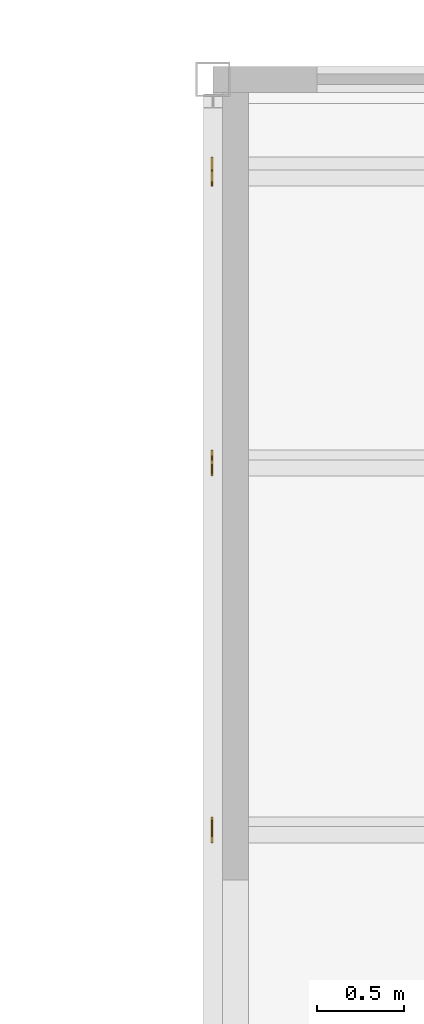
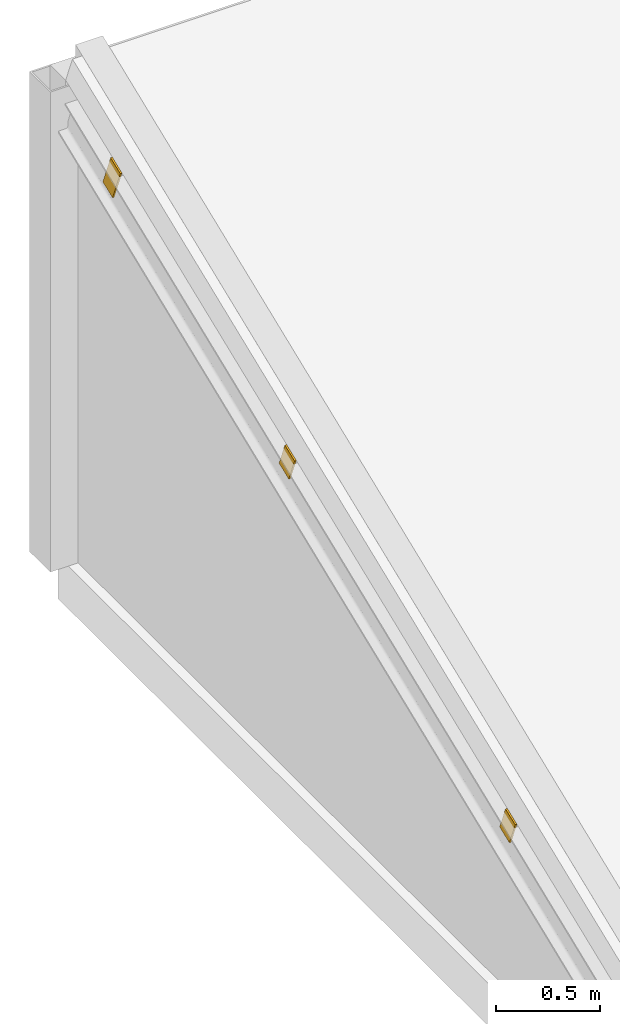
# One storey, part 107 of 109: 3 coverings.
"""IFC4 building model written with IfcOpenShell, lengths in metres."""

import ifcopenshell
import ifcopenshell.guid

model = None  # the IFC model being written
_history = None  # IfcOwnerHistory: only IFC2X3 demands one
_inside = {}  # id of a spatial element -> (the spatial element, [elements in it])
_under = {}  # id of a project, library or spatial element -> (it, [spatial elements below it])
_declared = {}  # id of a project -> (the project, [libraries it declares])
_typed = {}  # id of a type object -> (the type object, [elements of that type])
_made_of = {}  # id of a material, layer set ... -> (it, [elements and type objects made of it])


def new_model(schema):
    """Start an empty IFC model of exactly this schema.

    Asked for "IFC4X3", IfcOpenShell would pick the latest addendum, in which some entities
    have other attributes; the version numbers below select the first issue.
    IFC2X3 requires an IfcOwnerHistory on every rooted entity: one is made here for all.
    """
    global model, _history
    if schema == "IFC4X3":
        model = ifcopenshell.file(schema_version=(4, 3, 0, 0))
    else:
        model = ifcopenshell.file(schema=schema)
    _inside.clear()
    _under.clear()
    _declared.clear()
    _typed.clear()
    _made_of.clear()
    _history = None
    if model.schema == "IFC2X3":
        org = make("IfcOrganization", Name="unknown")
        user = make(
            "IfcPersonAndOrganization",
            ThePerson=make("IfcPerson", FamilyName="unknown"),
            TheOrganization=org,
        )
        app = make(
            "IfcApplication",
            ApplicationDeveloper=org,
            Version="unknown",
            ApplicationFullName="unknown",
            ApplicationIdentifier="unknown",
        )
        _history = make(
            "IfcOwnerHistory",
            OwningUser=user,
            OwningApplication=app,
            ChangeAction="ADDED",
            CreationDate=0,
        )
    return model


def make(cls, **values):
    """One entity of the class cls with the attributes given. An attribute that is None is left unset."""
    return model.create_entity(
        cls, **{name: value for name, value in values.items() if value is not None}
    )


def rooted(cls, **values):
    """An entity with a GlobalId (a new one), such as an element, a storey or a relation."""
    return make(cls, GlobalId=ifcopenshell.guid.new(), OwnerHistory=_history, **values)


def si_unit(unit_type, name, prefix=None):
    """IfcSIUnit, for example si_unit("LENGTHUNIT", "METRE", prefix="MILLI")."""
    return make("IfcSIUnit", UnitType=unit_type, Prefix=prefix, Name=name)


def assignment(units):
    """IfcUnitAssignment: the units of a project."""
    return None if units is None else make("IfcUnitAssignment", Units=units)


def point(xyz):
    """IfcCartesianPoint."""
    return None if xyz is None else make("IfcCartesianPoint", Coordinates=xyz)


def direction(xyz):
    """IfcDirection."""
    return None if xyz is None else make("IfcDirection", DirectionRatios=xyz)


def frame(location, z_axis=None, x_axis=None):
    """IfcAxis2Placement3D, a coordinate frame: its origin and axes. An axis left out is left unset."""
    return make(
        "IfcAxis2Placement3D",
        Location=point(location),
        Axis=direction(z_axis),
        RefDirection=direction(x_axis),
    )


def origin():
    """The frame at (0, 0, 0) with its axes left unset."""
    return frame((0.0, 0.0, 0.0))


def place(relative_to, where):
    """IfcLocalPlacement: puts the frame where relative to a parent placement (None: the world)."""
    return make(
        "IfcLocalPlacement", PlacementRelTo=relative_to, RelativePlacement=where
    )


def context(
    kind, dimensions, precision=None, world=None, true_north=None, identifier=None
):
    """IfcGeometricRepresentationContext, for example the 3D "Model" context."""
    return make(
        "IfcGeometricRepresentationContext",
        ContextIdentifier=identifier,
        ContextType=kind,
        CoordinateSpaceDimension=dimensions,
        Precision=precision,
        WorldCoordinateSystem=world,
        TrueNorth=true_north,
    )


def subcontext(parent, identifier, kind, view, scale=None):
    """IfcGeometricRepresentationSubContext, for example "Body" below "Model"."""
    return make(
        "IfcGeometricRepresentationSubContext",
        ContextIdentifier=identifier,
        ContextType=kind,
        ParentContext=parent,
        TargetScale=scale,
        TargetView=view,
    )


def project(units=None, contexts=None):
    """IfcProject with its units and contexts."""
    return rooted(
        "IfcProject",
        Name="project",
        RepresentationContexts=contexts,
        UnitsInContext=assignment(units),
    )


def spatial(cls, under=None, at=None, **own):
    """A site, building, storey or space (cls), placed at a placement, below another one or the project."""
    s = rooted(cls, ObjectPlacement=at, **own)
    if under is not None:
        _under.setdefault(under.id(), (under, []))[1].append(s)
    return s


def polyline(points):
    """IfcPolyline through the points."""
    return make("IfcPolyline", Points=[point(p) for p in points])


def outline(outer, holes=None, kind="AREA"):
    """IfcArbitraryClosedProfileDef: a profile drawn as a closed curve; with holes, ...WithVoids."""
    if holes is None:
        return make("IfcArbitraryClosedProfileDef", ProfileType=kind, OuterCurve=outer)
    return make(
        "IfcArbitraryProfileDefWithVoids",
        ProfileType=kind,
        OuterCurve=outer,
        InnerCurves=holes,
    )


def extrude(swept, where, along, depth):
    """IfcExtrudedAreaSolid: the profile swept, set in the frame where, extruded along a direction by depth."""
    return make(
        "IfcExtrudedAreaSolid",
        SweptArea=swept,
        Position=where,
        ExtrudedDirection=direction(along),
        Depth=depth,
    )


def shape(context_of_items, identifier, shape_type, items):
    """IfcShapeRepresentation: the items that make up one representation, for example the "Body"."""
    return make(
        "IfcShapeRepresentation",
        ContextOfItems=context_of_items,
        RepresentationIdentifier=identifier,
        RepresentationType=shape_type,
        Items=items,
    )


def material(Name=None, Category=None):
    """IfcMaterial."""
    return make("IfcMaterial", Name=Name, Category=Category)


def material_profile(
    of_material, cross_section, Name=None, Category=None, Priority=None
):
    """IfcMaterialProfile: a cross section and its material."""
    return make(
        "IfcMaterialProfile",
        Name=Name,
        Material=of_material,
        Profile=cross_section,
        Priority=Priority,
        Category=Category,
    )


def profile_set(profiles, Name=None, composite=None):
    """IfcMaterialProfileSet."""
    return make(
        "IfcMaterialProfileSet",
        Name=Name,
        MaterialProfiles=profiles,
        CompositeProfile=composite,
    )


def made_of(thing, what):
    """Note that an element or type object is made of a material, layer set ...; save() writes the relation."""
    if what is not None:
        _made_of.setdefault(what.id(), (what, []))[1].append(thing)
    return thing


def type_object(cls, material=None, **own):
    """A type object (cls), such as IfcWallType, which elements share."""
    return made_of(rooted(cls, **own), material)


def element(
    cls,
    number,
    at=None,
    inside=None,
    cuts=None,
    type_object=None,
    material=None,
    context=None,
    identifier="Body",
    shape_type=None,
    held_by="IfcProductDefinitionShape",
    body=None,
    shapes=None,
    **own,
):
    """One element of the class cls, such as IfcWall. Its Tag is "e" and its number.

    at: its placement. inside: the storey or other place that contains it. cuts: it is an
    opening in that element (IfcRelVoidsElement). A single representation is given by context,
    identifier, shape_type and body (its items); several are given by shapes. held_by: the class
    of the entity that holds the representations. save() writes the other relations.
    """
    e = rooted(cls, Tag="e%d" % number, ObjectPlacement=at, **own)
    if body is not None:
        shapes = [shape(context, identifier, shape_type, body)]
    if shapes is not None:
        e.Representation = make(held_by, Representations=shapes)
    if inside is not None:
        _inside.setdefault(inside.id(), (inside, []))[1].append(e)
    if cuts is not None:
        rooted(
            "IfcRelVoidsElement", RelatingBuildingElement=cuts, RelatedOpeningElement=e
        )
    if type_object is not None:
        _typed.setdefault(type_object.id(), (type_object, []))[1].append(e)
    return made_of(e, material)


def aggregate(whole, parts):
    """IfcRelAggregates: a whole, such as a stair, and the parts it consists of."""
    return rooted("IfcRelAggregates", RelatingObject=whole, RelatedObjects=parts)


def save(model, path):
    """Write the relations noted so far, then the file.

    IfcRelAggregates (storeys below a building ...), IfcRelContainedInSpatialStructure (elements
    in a storey), IfcRelDefinesByType, IfcRelAssociatesMaterial and IfcRelDeclares: one each for
    every whole, place, type object, material and project.
    """
    for whole, parts in _under.values():
        aggregate(whole, parts)
    for where, things in _inside.values():
        rooted(
            "IfcRelContainedInSpatialStructure",
            RelatedElements=things,
            RelatingStructure=where,
        )
    for kind, things in _typed.values():
        rooted("IfcRelDefinesByType", RelatedObjects=things, RelatingType=kind)
    for what, things in _made_of.values():
        rooted("IfcRelAssociatesMaterial", RelatedObjects=things, RelatingMaterial=what)
    for by, libraries in _declared.values():
        rooted("IfcRelDeclares", RelatingContext=by, RelatedDefinitions=libraries)
    model.write(path)


model = new_model("IFC4")

# Units and contexts
model_context = context("Model", 3, precision=1e-05, world=origin(), true_north=direction((0.0, 1.0)))
body_context = subcontext(model_context, "Body", "Model", "MODEL_VIEW")
ifc_project = project(units=[si_unit("LENGTHUNIT", "METRE"), si_unit("AREAUNIT", "SQUARE_METRE"), si_unit("VOLUMEUNIT", "CUBIC_METRE"), si_unit("PLANEANGLEUNIT", "RADIAN"), si_unit("MASSUNIT", "GRAM", prefix="KILO")], contexts=[model_context])

# Site, building, storey
site_placement = place(None, origin())
site = spatial("IfcSite", under=ifc_project, at=site_placement, CompositionType="ELEMENT")
building_placement = place(site_placement, origin())
building = spatial("IfcBuilding", under=site, at=building_placement, Name="Lantern Court Research Institute", CompositionType="ELEMENT")
storey_placement = place(building_placement, frame((0.0, 0.0, 14.39990234375)))
storey = spatial("IfcBuildingStorey", under=building, at=storey_placement, Name="L03", CompositionType="ELEMENT", Elevation=14.39990234375)

# Coverings
ifc_material_1 = material(Name="Structural steel S355", Category="steel")
ifc_material_profile_1 = material_profile(ifc_material_1, outline(polyline([(-0.050048828125, -0.074951171875), (0.050048828125, -0.074951171875), (0.050048828125, 0.074951171875), (-0.050048828125, 0.074951171875), (-0.050048828125, -0.074951171875)])), Name="Purlin end cap 150 x 100 x 10")
ifc_profile_set_1 = profile_set([ifc_material_profile_1], Name="Structural steel S355")
covering_type_1 = type_object("IfcCoveringType", Name="Purlin end cap 150 x 100 x 10", PredefinedType="MOLDING", material=ifc_profile_set_1)
for number, where, z_axis, x_axis, name in (
    (1, (0.0, 71.569580078125, 1.0478515625), (-1.0, 0.0, 0.0), (0.0, -0.928476694038, -0.371390668473), "Purlin end cap"),
    (2, (0.0, 73.686279296875, 1.89453125), (-1.0, 0.0, 0.0), (0.0, -0.928476694038, -0.371390668473), "Purlin end cap"),
):
    element("IfcCovering", number, at=place(storey_placement, frame(where, z_axis=z_axis, x_axis=x_axis)), inside=storey, type_object=covering_type_1, Name=name, PredefinedType="MOLDING", context=body_context, shape_type="SweptSolid", body=[
        extrude(outline(polyline([(-0.050048828125, -0.074951171875), (0.050048828125, -0.074951171875), (0.050048828125, 0.074951171875), (-0.050048828125, 0.074951171875), (-0.050048828125, -0.074951171875)])), origin(), (0.0, 0.0, 1.0), 0.010009765625),
    ])
ifc_material_2 = material(Name="Structural steel S355", Category="steel")
ifc_material_profile_2 = material_profile(ifc_material_2, outline(polyline([(-0.050048828125, -0.10009765625), (0.050048828125, -0.10009765625), (0.050048828125, 0.10009765625), (-0.050048828125, 0.10009765625), (-0.050048828125, -0.10009765625)])), Name="Purlin end cap 200 x 100 x 10")
ifc_profile_set_2 = profile_set([ifc_material_profile_2], Name="Structural steel S355")
covering_type_2 = type_object("IfcCoveringType", Name="Purlin end cap 200 x 100 x 10", PredefinedType="MOLDING", material=ifc_profile_set_2)
covering_placement = place(storey_placement, frame((0.0, 75.36767578125, 2.540283203125), z_axis=(-1.0, 0.0, 0.0), x_axis=(0.0, -0.928476694038, -0.371390668473)))
element("IfcCovering", 3, at=covering_placement, inside=storey, type_object=covering_type_2, Name="Purlin end cap", PredefinedType="MOLDING", context=body_context, shape_type="SweptSolid", body=[
    extrude(outline(polyline([(-0.050048828125, -0.10009765625), (0.050048828125, -0.10009765625), (0.050048828125, 0.10009765625), (-0.050048828125, 0.10009765625), (-0.050048828125, -0.10009765625)])), origin(), (0.0, 0.0, 1.0), 0.010009765625),
])

save(model, "model.ifc")
